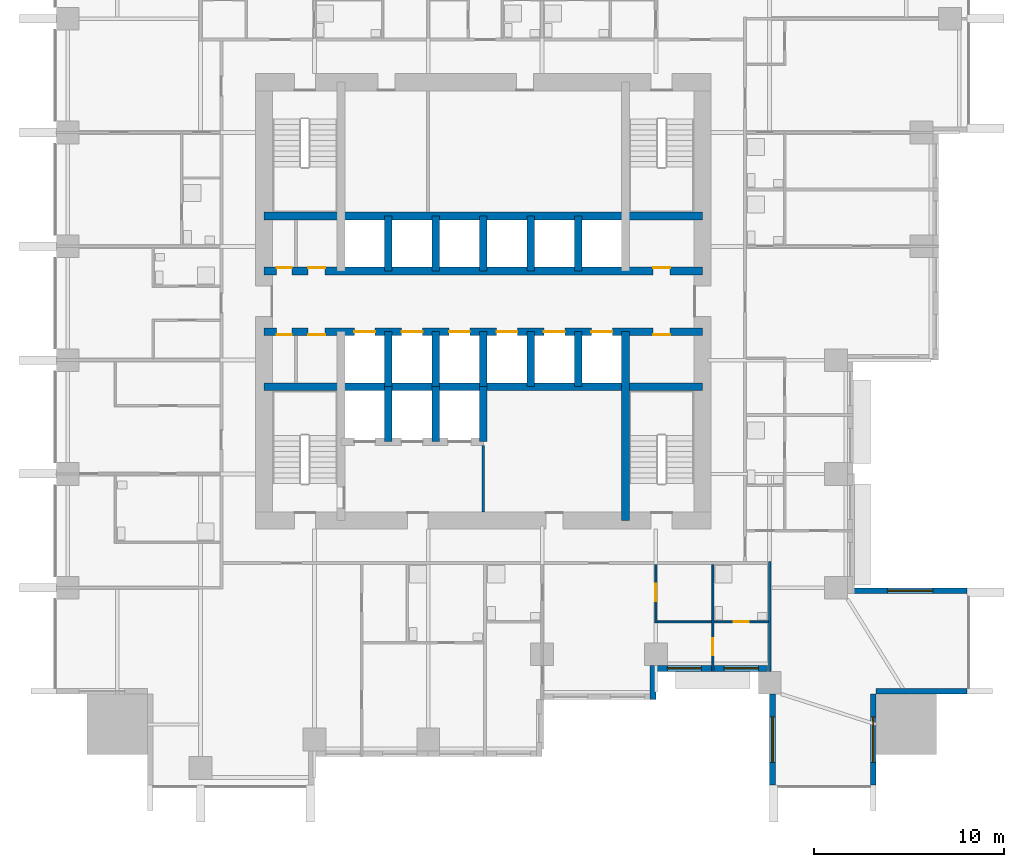
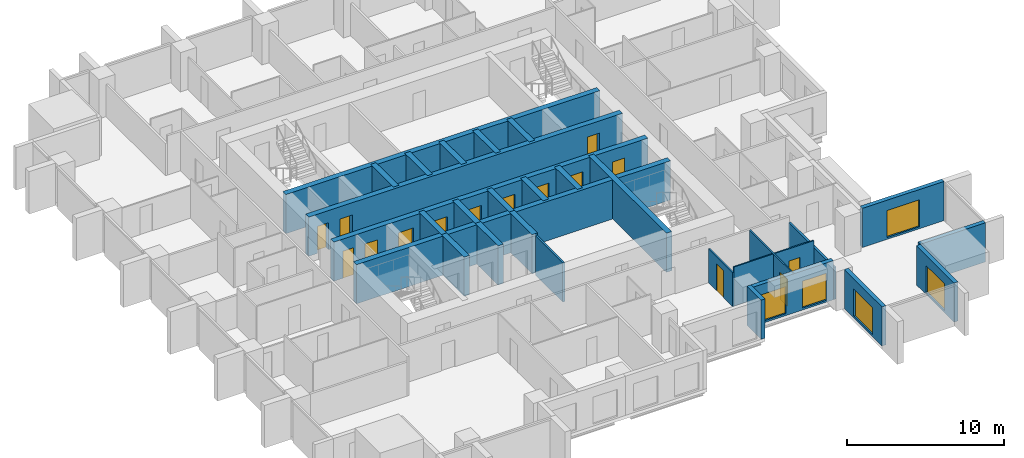
# One storey, part 5 of 10: 29 walls, 15 doors, 5 windows, 20 openings.
"""IFC4 building model written with IfcOpenShell, lengths in metres."""

from ifc_helpers import new_model, si_unit, direction, frame, frame_2d, origin, place, context, subcontext, project, spatial, rectangle, extrude, material, layer, layer_set, type_object, element, fill, save


model = new_model("IFC4")

# Units and contexts
model_context = context("Model", 3, precision=1e-05, world=origin(), true_north=direction((0.0, 1.0)))
body_context = subcontext(model_context, "Body", "Model", "MODEL_VIEW")
ifc_project = project(units=[si_unit("LENGTHUNIT", "METRE"), si_unit("AREAUNIT", "SQUARE_METRE"), si_unit("VOLUMEUNIT", "CUBIC_METRE"), si_unit("PLANEANGLEUNIT", "RADIAN"), si_unit("MASSUNIT", "GRAM", prefix="KILO")], contexts=[model_context])

# Site, building, storey
site_placement = place(None, origin())
site = spatial("IfcSite", under=ifc_project, at=site_placement, CompositionType="ELEMENT")
building_placement = place(site_placement, origin())
building = spatial("IfcBuilding", under=site, at=building_placement, Name="Amberfall Residences", CompositionType="ELEMENT")
storey_placement = place(building_placement, frame((0.0, 0.0, 63.10009765625)))
storey = spatial("IfcBuildingStorey", under=building, at=storey_placement, Name="L17", CompositionType="ELEMENT", Elevation=63.10009765625)

# Wall
ifc_material_1 = material(Name="Pale stone cladding on insulated backing", Category="masonry")
ifc_layer_1 = layer(ifc_material_1, 0.300048828125)
ifc_layer_set_1 = layer_set([ifc_layer_1], Name="Bronze clad wall 300")
wall_type_1 = type_object("IfcWallType", Name="Bronze clad wall 300", PredefinedType="SOLIDWALL", material=ifc_layer_set_1)
wall_1_placement = place(storey_placement, frame((83.449951171875, 24.5, 0.0), z_axis=(0.0, 0.0, 1.0), x_axis=(0.0, 1.0, 0.0)))
element("IfcWall", 1, at=wall_1_placement, inside=storey, type_object=wall_type_1, Name="External wall L17 S", PredefinedType="SOLIDWALL", context=body_context, shape_type="SweptSolid", body=[
    extrude(rectangle(XDim=1.800048828125, YDim=0.300048828125, at=frame_2d((0.89990234375, 0.0))), origin(), (0.0, 0.0, 1.0), 3.0498046875),
])

# Wall, opening, window
wall_2_placement = place(storey_placement, frame((89.75, 24.800048828125, 0.0), z_axis=(0.0, 0.0, 1.0), x_axis=(0.0, -1.0, 0.0)))
wall_2 = element("IfcWall", 2, at=wall_2_placement, inside=storey, type_object=wall_type_1, Name="External wall L17 S", PredefinedType="SOLIDWALL", context=body_context, shape_type="SweptSolid", body=[
    extrude(rectangle(XDim=4.800048828125, YDim=0.300048828125, at=frame_2d((2.39990234375, 0.0))), origin(), (0.0, 0.0, 1.0), 3.0498046875),
])
opening_1_placement = place(wall_2_placement, frame((1.199951171875, 0.0, 0.14990234375)))
opening_1 = element("IfcOpeningElement", 3, at=opening_1_placement, cuts=wall_2, Name="Opening WN5", PredefinedType="OPENING", context=body_context, shape_type="SweptSolid", body=[
    extrude(rectangle(XDim=2.39990234375, YDim=2.10009765625, at=frame_2d((1.199951171875, 1.050048828125))), frame((0.0, 0.159912109375, 0.0), z_axis=(0.0, -1.0, 0.0), x_axis=(1.0, 0.0, 0.0)), (0.0, 0.0, 1.0), 0.320068359375),
])
ifc_material_2 = material(Name="Bronze aluminium framed glazing", Category="aluminium")
window_type_1 = type_object("IfcWindowType", Name="Glazed opening 2400 x 2100 bronze", PartitioningType="DOUBLE_PANEL_VERTICAL", PredefinedType="WINDOW", material=ifc_material_2)
window_1_placement = place(opening_1_placement, origin())
window_1 = element("IfcWindow", 4, at=window_1_placement, inside=storey, type_object=window_type_1, Name="Window L17 S", OverallHeight=2.10009765625, OverallWidth=2.39990234375, PartitioningType="DOUBLE_PANEL_VERTICAL", PredefinedType="WINDOW", context=body_context, shape_type="SweptSolid", body=[
    extrude(rectangle(XDim=2.39990234375, YDim=2.10009765625, at=frame_2d((1.199951171875, 1.050048828125))), frame((0.0, 0.030029296875, 0.0), z_axis=(0.0, -1.0, 0.0), x_axis=(1.0, 0.0, 0.0)), (0.0, 0.0, 1.0), 0.06005859375),
])
fill(opening_1, window_1)

wall_3_placement = place(storey_placement, frame((95.050048828125, 20.0, 0.0), z_axis=(0.0, 0.0, 1.0), x_axis=(0.0, 1.0, 0.0)))
wall_3 = element("IfcWall", 5, at=wall_3_placement, inside=storey, type_object=wall_type_1, Name="External wall L17 SE", PredefinedType="SOLIDWALL", context=body_context, shape_type="SweptSolid", body=[
    extrude(rectangle(XDim=4.800048828125, YDim=0.300048828125, at=frame_2d((2.39990234375, 0.0))), origin(), (0.0, 0.0, 1.0), 3.0498046875),
])
opening_2_placement = place(wall_3_placement, frame((1.199951171875, 0.0, 0.14990234375)))
opening_2 = element("IfcOpeningElement", 6, at=opening_2_placement, cuts=wall_3, Name="Opening WN5", PredefinedType="OPENING", context=body_context, shape_type="SweptSolid", body=[
    extrude(rectangle(XDim=2.39990234375, YDim=2.10009765625, at=frame_2d((1.199951171875, 1.050048828125))), frame((0.0, 0.159912109375, 0.0), z_axis=(0.0, -1.0, 0.0), x_axis=(1.0, 0.0, 0.0)), (0.0, 0.0, 1.0), 0.320068359375),
])
window_2_placement = place(opening_2_placement, origin())
window_2 = element("IfcWindow", 7, at=window_2_placement, inside=storey, type_object=window_type_1, Name="Window L17 SE", OverallHeight=2.10009765625, OverallWidth=2.39990234375, PartitioningType="DOUBLE_PANEL_VERTICAL", PredefinedType="WINDOW", context=body_context, shape_type="SweptSolid", body=[
    extrude(rectangle(XDim=2.39990234375, YDim=2.10009765625, at=frame_2d((1.199951171875, 1.050048828125))), frame((0.0, 0.030029296875, 0.0), z_axis=(0.0, -1.0, 0.0), x_axis=(1.0, 0.0, 0.0)), (0.0, 0.0, 1.0), 0.06005859375),
])
fill(opening_2, window_2)

# Wall
wall_4_placement = place(storey_placement, frame((95.199951171875, 24.949951171875, 0.0), z_axis=(0.0, 0.0, 1.0), x_axis=(1.0, 0.0, 0.0)))
element("IfcWall", 8, at=wall_4_placement, inside=storey, type_object=wall_type_1, Name="External wall L17 SE", PredefinedType="SOLIDWALL", context=body_context, shape_type="SweptSolid", body=[
    extrude(rectangle(XDim=4.800048828125, YDim=0.300048828125, at=frame_2d((2.39990234375, 0.0))), origin(), (0.0, 0.0, 1.0), 3.0498046875),
])

# Wall, opening, window
wall_5_placement = place(storey_placement, frame((100.0, 30.25, 0.0), z_axis=(0.0, 0.0, 1.0), x_axis=(-1.0, 0.0, 0.0)))
wall_5 = element("IfcWall", 9, at=wall_5_placement, inside=storey, type_object=wall_type_1, Name="External wall L17 E", PredefinedType="SOLIDWALL", context=body_context, shape_type="SweptSolid", body=[
    extrude(rectangle(XDim=6.0, YDim=0.300048828125, at=frame_2d((3.0, 0.0))), origin(), (0.0, 0.0, 1.0), 3.0498046875),
])
opening_3_placement = place(wall_5_placement, frame((1.800048828125, 0.0, 0.14990234375)))
opening_3 = element("IfcOpeningElement", 10, at=opening_3_placement, cuts=wall_5, Name="Opening WN5", PredefinedType="OPENING", context=body_context, shape_type="SweptSolid", body=[
    extrude(rectangle(XDim=2.39990234375, YDim=2.10009765625, at=frame_2d((1.199951171875, 1.050048828125))), frame((0.0, 0.159912109375, 0.0), z_axis=(0.0, -1.0, 0.0), x_axis=(1.0, 0.0, 0.0)), (0.0, 0.0, 1.0), 0.320068359375),
])
window_3_placement = place(opening_3_placement, origin())
window_3 = element("IfcWindow", 11, at=window_3_placement, inside=storey, type_object=window_type_1, Name="Window L17 E", OverallHeight=2.10009765625, OverallWidth=2.39990234375, PartitioningType="DOUBLE_PANEL_VERTICAL", PredefinedType="WINDOW", context=body_context, shape_type="SweptSolid", body=[
    extrude(rectangle(XDim=2.39990234375, YDim=2.10009765625, at=frame_2d((1.199951171875, 1.050048828125))), frame((0.0, 0.030029296875, 0.0), z_axis=(0.0, -1.0, 0.0), x_axis=(1.0, 0.0, 0.0)), (0.0, 0.0, 1.0), 0.06005859375),
])
fill(opening_3, window_3)

# Wall, openings, windows
wall_6_placement = place(storey_placement, frame((83.60009765625, 26.14990234375, 0.0), z_axis=(0.0, 0.0, 1.0), x_axis=(1.0, 0.0, 0.0)))
wall_6 = element("IfcWall", 12, at=wall_6_placement, inside=storey, type_object=wall_type_1, Name="Stone wall L17 S", PredefinedType="SOLIDWALL", context=body_context, shape_type="SweptSolid", body=[
    extrude(rectangle(XDim=5.889892578125, YDim=0.300048828125, at=frame_2d((2.94482421875, 0.0))), origin(), (0.0, 0.0, 1.0), 3.0498046875),
])
opening_4_placement = place(wall_6_placement, frame((0.60009765625, 0.0, 0.14990234375)))
opening_4 = element("IfcOpeningElement", 13, at=opening_4_placement, cuts=wall_6, Name="Opening WN6", PredefinedType="OPENING", context=body_context, shape_type="SweptSolid", body=[
    extrude(rectangle(XDim=1.800048828125, YDim=2.10009765625, at=frame_2d((0.89990234375, 1.050048828125))), frame((0.0, 0.159912109375, 0.0), z_axis=(0.0, -1.0, 0.0), x_axis=(1.0, 0.0, 0.0)), (0.0, 0.0, 1.0), 0.320068359375),
])
opening_5_placement = place(wall_6_placement, frame((3.60009765625, 0.0, 0.14990234375)))
opening_5 = element("IfcOpeningElement", 14, at=opening_5_placement, cuts=wall_6, Name="Opening WN6", PredefinedType="OPENING", context=body_context, shape_type="SweptSolid", body=[
    extrude(rectangle(XDim=1.800048828125, YDim=2.10009765625, at=frame_2d((0.89990234375, 1.050048828125))), frame((0.0, 0.159912109375, 0.0), z_axis=(0.0, -1.0, 0.0), x_axis=(1.0, 0.0, 0.0)), (0.0, 0.0, 1.0), 0.320068359375),
])
window_type_2 = type_object("IfcWindowType", Name="Glazed opening 1800 x 2100 bronze", PartitioningType="DOUBLE_PANEL_VERTICAL", PredefinedType="WINDOW", material=ifc_material_2)
window_4_placement = place(opening_4_placement, origin())
window_4 = element("IfcWindow", 15, at=window_4_placement, inside=storey, type_object=window_type_2, Name="Window L17 S", OverallHeight=2.10009765625, OverallWidth=1.800048828125, PartitioningType="DOUBLE_PANEL_VERTICAL", PredefinedType="WINDOW", context=body_context, shape_type="SweptSolid", body=[
    extrude(rectangle(XDim=1.800048828125, YDim=2.10009765625, at=frame_2d((0.89990234375, 1.050048828125))), frame((0.0, 0.030029296875, 0.0), z_axis=(0.0, -1.0, 0.0), x_axis=(1.0, 0.0, 0.0)), (0.0, 0.0, 1.0), 0.06005859375),
])
fill(opening_4, window_4)
window_5_placement = place(opening_5_placement, origin())
window_5 = element("IfcWindow", 16, at=window_5_placement, inside=storey, type_object=window_type_2, Name="Window L17 S", OverallHeight=2.10009765625, OverallWidth=1.800048828125, PartitioningType="DOUBLE_PANEL_VERTICAL", PredefinedType="WINDOW", context=body_context, shape_type="SweptSolid", body=[
    extrude(rectangle(XDim=1.800048828125, YDim=2.10009765625, at=frame_2d((0.89990234375, 1.050048828125))), frame((0.0, 0.030029296875, 0.0), z_axis=(0.0, -1.0, 0.0), x_axis=(1.0, 0.0, 0.0)), (0.0, 0.0, 1.0), 0.06005859375),
])
fill(opening_5, window_5)

# Wall
ifc_material_3 = material(Name="Concrete C80", Category="concrete")
ifc_layer_2 = layer(ifc_material_3, 0.39990234375)
ifc_layer_set_2 = layer_set([ifc_layer_2], Name="Core wall 400 C80")
wall_type_2 = type_object("IfcWallType", Name="Core wall 400 C80", PredefinedType="SHEAR", material=ifc_layer_set_2)
wall_7_placement = place(storey_placement, frame((62.949951171875, 41.0, 0.0), z_axis=(0.0, 0.0, 1.0), x_axis=(1.0, 0.0, 0.0)))
element("IfcWall", 17, at=wall_7_placement, inside=storey, type_object=wall_type_2, Name="Core wall RW2 L17 H75", PredefinedType="SHEAR", context=body_context, shape_type="SweptSolid", body=[
    extrude(rectangle(XDim=23.10009765625, YDim=0.39990234375, at=frame_2d((11.550048828125, 0.0))), origin(), (0.0, 0.0, 1.0), 3.0498046875),
])

# Wall, openings, doors
wall_8_placement = place(storey_placement, frame((62.949951171875, 43.89990234375, 0.0), z_axis=(0.0, 0.0, 1.0), x_axis=(1.0, 0.0, 0.0)))
wall_8 = element("IfcWall", 18, at=wall_8_placement, inside=storey, type_object=wall_type_2, Name="Core wall RW2 L17 H104", PredefinedType="SHEAR", context=body_context, shape_type="SweptSolid", body=[
    extrude(rectangle(XDim=23.10009765625, YDim=0.39990234375, at=frame_2d((11.550048828125, 0.0))), origin(), (0.0, 0.0, 1.0), 3.0498046875),
])
opening_6_placement = place(wall_8_placement, frame((0.662109375, 0.0, 0.0)))
opening_6 = element("IfcOpeningElement", 19, at=opening_6_placement, cuts=wall_8, Name="Opening RD2", PredefinedType="OPENING", context=body_context, shape_type="SweptSolid", body=[
    extrude(rectangle(XDim=0.800048828125, YDim=2.10009765625, at=frame_2d((0.39990234375, 1.050048828125))), frame((0.0, 0.2099609375, 0.0), z_axis=(0.0, -1.0, 0.0), x_axis=(1.0, 0.0, 0.0)), (0.0, 0.0, 1.0), 0.419921875),
])
opening_7_placement = place(wall_8_placement, frame((2.31201171875, 0.0, 0.0)))
opening_7 = element("IfcOpeningElement", 20, at=opening_7_placement, cuts=wall_8, Name="Opening RD1", PredefinedType="OPENING", context=body_context, shape_type="SweptSolid", body=[
    extrude(rectangle(XDim=0.89990234375, YDim=2.10009765625, at=frame_2d((0.449951171875, 1.050048828125))), frame((0.0, 0.2099609375, 0.0), z_axis=(0.0, -1.0, 0.0), x_axis=(1.0, 0.0, 0.0)), (0.0, 0.0, 1.0), 0.419921875),
])
opening_8_placement = place(wall_8_placement, frame((20.5, 0.0, 0.0)))
opening_8 = element("IfcOpeningElement", 21, at=opening_8_placement, cuts=wall_8, Name="Opening RD1", PredefinedType="OPENING", context=body_context, shape_type="SweptSolid", body=[
    extrude(rectangle(XDim=0.89990234375, YDim=2.10009765625, at=frame_2d((0.449951171875, 1.050048828125))), frame((0.0, 0.2099609375, 0.0), z_axis=(0.0, -1.0, 0.0), x_axis=(1.0, 0.0, 0.0)), (0.0, 0.0, 1.0), 0.419921875),
])
opening_9_placement = place(wall_8_placement, frame((4.75, 0.0, 0.0)))
opening_9 = element("IfcOpeningElement", 22, at=opening_9_placement, cuts=wall_8, Name="Opening LD1", PredefinedType="OPENING", context=body_context, shape_type="SweptSolid", body=[
    extrude(rectangle(XDim=1.10009765625, YDim=2.10009765625, at=frame_2d((0.550048828125, 1.050048828125))), frame((0.0, 0.2099609375, 0.0), z_axis=(0.0, -1.0, 0.0), x_axis=(1.0, 0.0, 0.0)), (0.0, 0.0, 1.0), 0.419921875),
])
opening_10_placement = place(wall_8_placement, frame((7.25, 0.0, 0.0)))
opening_10 = element("IfcOpeningElement", 23, at=opening_10_placement, cuts=wall_8, Name="Opening LD1", PredefinedType="OPENING", context=body_context, shape_type="SweptSolid", body=[
    extrude(rectangle(XDim=1.10009765625, YDim=2.10009765625, at=frame_2d((0.550048828125, 1.050048828125))), frame((0.0, 0.2099609375, 0.0), z_axis=(0.0, -1.0, 0.0), x_axis=(1.0, 0.0, 0.0)), (0.0, 0.0, 1.0), 0.419921875),
])
opening_11_placement = place(wall_8_placement, frame((9.75, 0.0, 0.0)))
opening_11 = element("IfcOpeningElement", 24, at=opening_11_placement, cuts=wall_8, Name="Opening LD1", PredefinedType="OPENING", context=body_context, shape_type="SweptSolid", body=[
    extrude(rectangle(XDim=1.10009765625, YDim=2.10009765625, at=frame_2d((0.550048828125, 1.050048828125))), frame((0.0, 0.2099609375, 0.0), z_axis=(0.0, -1.0, 0.0), x_axis=(1.0, 0.0, 0.0)), (0.0, 0.0, 1.0), 0.419921875),
])
opening_12_placement = place(wall_8_placement, frame((12.25, 0.0, 0.0)))
opening_12 = element("IfcOpeningElement", 25, at=opening_12_placement, cuts=wall_8, Name="Opening LD1", PredefinedType="OPENING", context=body_context, shape_type="SweptSolid", body=[
    extrude(rectangle(XDim=1.10009765625, YDim=2.10009765625, at=frame_2d((0.550048828125, 1.050048828125))), frame((0.0, 0.2099609375, 0.0), z_axis=(0.0, -1.0, 0.0), x_axis=(1.0, 0.0, 0.0)), (0.0, 0.0, 1.0), 0.419921875),
])
opening_13_placement = place(wall_8_placement, frame((14.75, 0.0, 0.0)))
opening_13 = element("IfcOpeningElement", 26, at=opening_13_placement, cuts=wall_8, Name="Opening LD1", PredefinedType="OPENING", context=body_context, shape_type="SweptSolid", body=[
    extrude(rectangle(XDim=1.10009765625, YDim=2.10009765625, at=frame_2d((0.550048828125, 1.050048828125))), frame((0.0, 0.2099609375, 0.0), z_axis=(0.0, -1.0, 0.0), x_axis=(1.0, 0.0, 0.0)), (0.0, 0.0, 1.0), 0.419921875),
])
opening_14_placement = place(wall_8_placement, frame((17.25, 0.0, 0.0)))
opening_14 = element("IfcOpeningElement", 27, at=opening_14_placement, cuts=wall_8, Name="Opening LD1", PredefinedType="OPENING", context=body_context, shape_type="SweptSolid", body=[
    extrude(rectangle(XDim=1.10009765625, YDim=2.10009765625, at=frame_2d((0.550048828125, 1.050048828125))), frame((0.0, 0.2099609375, 0.0), z_axis=(0.0, -1.0, 0.0), x_axis=(1.0, 0.0, 0.0)), (0.0, 0.0, 1.0), 0.419921875),
])
ifc_material_4 = material(Name="Steel fire door set", Category="steel")
door_type_1 = type_object("IfcDoorType", Name="Lift landing door 1100 x 2100", OperationType="DOUBLE_DOOR_SLIDING", PredefinedType="DOOR", material=ifc_material_4)
door_1_placement = place(opening_9_placement, origin())
door_1 = element("IfcDoor", 28, at=door_1_placement, inside=storey, type_object=door_type_1, Name="Landing door LP1 L17", OperationType="DOUBLE_DOOR_SLIDING", OverallHeight=2.10009765625, OverallWidth=1.10009765625, PredefinedType="DOOR", context=body_context, shape_type="SweptSolid", body=[
    extrude(rectangle(XDim=1.10009765625, YDim=2.10009765625, at=frame_2d((0.550048828125, 1.050048828125))), frame((0.0, 0.02490234375, 0.0), z_axis=(0.0, -1.0, 0.0), x_axis=(1.0, 0.0, 0.0)), (0.0, 0.0, 1.0), 0.050048828125),
])
fill(opening_9, door_1)
door_2_placement = place(opening_10_placement, origin())
door_2 = element("IfcDoor", 29, at=door_2_placement, inside=storey, type_object=door_type_1, Name="Landing door LP2 L17", OperationType="DOUBLE_DOOR_SLIDING", OverallHeight=2.10009765625, OverallWidth=1.10009765625, PredefinedType="DOOR", context=body_context, shape_type="SweptSolid", body=[
    extrude(rectangle(XDim=1.10009765625, YDim=2.10009765625, at=frame_2d((0.550048828125, 1.050048828125))), frame((0.0, 0.02490234375, 0.0), z_axis=(0.0, -1.0, 0.0), x_axis=(1.0, 0.0, 0.0)), (0.0, 0.0, 1.0), 0.050048828125),
])
fill(opening_10, door_2)
door_3_placement = place(opening_11_placement, origin())
door_3 = element("IfcDoor", 30, at=door_3_placement, inside=storey, type_object=door_type_1, Name="Landing door LP3 L17", OperationType="DOUBLE_DOOR_SLIDING", OverallHeight=2.10009765625, OverallWidth=1.10009765625, PredefinedType="DOOR", context=body_context, shape_type="SweptSolid", body=[
    extrude(rectangle(XDim=1.10009765625, YDim=2.10009765625, at=frame_2d((0.550048828125, 1.050048828125))), frame((0.0, 0.02490234375, 0.0), z_axis=(0.0, -1.0, 0.0), x_axis=(1.0, 0.0, 0.0)), (0.0, 0.0, 1.0), 0.050048828125),
])
fill(opening_11, door_3)
door_4_placement = place(opening_12_placement, origin())
door_4 = element("IfcDoor", 31, at=door_4_placement, inside=storey, type_object=door_type_1, Name="Landing door LP4 L17", OperationType="DOUBLE_DOOR_SLIDING", OverallHeight=2.10009765625, OverallWidth=1.10009765625, PredefinedType="DOOR", context=body_context, shape_type="SweptSolid", body=[
    extrude(rectangle(XDim=1.10009765625, YDim=2.10009765625, at=frame_2d((0.550048828125, 1.050048828125))), frame((0.0, 0.02490234375, 0.0), z_axis=(0.0, -1.0, 0.0), x_axis=(1.0, 0.0, 0.0)), (0.0, 0.0, 1.0), 0.050048828125),
])
fill(opening_12, door_4)
door_5_placement = place(opening_13_placement, origin())
door_5 = element("IfcDoor", 32, at=door_5_placement, inside=storey, type_object=door_type_1, Name="Landing door LP5 L17", OperationType="DOUBLE_DOOR_SLIDING", OverallHeight=2.10009765625, OverallWidth=1.10009765625, PredefinedType="DOOR", context=body_context, shape_type="SweptSolid", body=[
    extrude(rectangle(XDim=1.10009765625, YDim=2.10009765625, at=frame_2d((0.550048828125, 1.050048828125))), frame((0.0, 0.02490234375, 0.0), z_axis=(0.0, -1.0, 0.0), x_axis=(1.0, 0.0, 0.0)), (0.0, 0.0, 1.0), 0.050048828125),
])
fill(opening_13, door_5)
door_6_placement = place(opening_14_placement, origin())
door_6 = element("IfcDoor", 33, at=door_6_placement, inside=storey, type_object=door_type_1, Name="Landing door LP6 L17", OperationType="DOUBLE_DOOR_SLIDING", OverallHeight=2.10009765625, OverallWidth=1.10009765625, PredefinedType="DOOR", context=body_context, shape_type="SweptSolid", body=[
    extrude(rectangle(XDim=1.10009765625, YDim=2.10009765625, at=frame_2d((0.550048828125, 1.050048828125))), frame((0.0, 0.02490234375, 0.0), z_axis=(0.0, -1.0, 0.0), x_axis=(1.0, 0.0, 0.0)), (0.0, 0.0, 1.0), 0.050048828125),
])
fill(opening_14, door_6)
door_type_2 = type_object("IfcDoorType", Name="Service room door 800 x 2100", OperationType="SINGLE_SWING_LEFT", PredefinedType="DOOR", material=ifc_material_4)
door_7_placement = place(opening_6_placement, origin())
door_7 = element("IfcDoor", 34, at=door_7_placement, inside=storey, type_object=door_type_2, Name="RD2 L17", OperationType="SINGLE_SWING_LEFT", OverallHeight=2.10009765625, OverallWidth=0.800048828125, PredefinedType="DOOR", context=body_context, shape_type="SweptSolid", body=[
    extrude(rectangle(XDim=0.800048828125, YDim=2.10009765625, at=frame_2d((0.39990234375, 1.050048828125))), frame((0.0, -0.1376953125, 0.0), z_axis=(0.0, -1.0, 0.0), x_axis=(1.0, 0.0, 0.0)), (0.0, 0.0, 1.0), 0.050048828125),
])
fill(opening_6, door_7)
door_type_3 = type_object("IfcDoorType", Name="Service room door 900 x 2100", OperationType="SINGLE_SWING_LEFT", PredefinedType="DOOR", material=ifc_material_4)
door_8_placement = place(opening_7_placement, origin())
door_8 = element("IfcDoor", 35, at=door_8_placement, inside=storey, type_object=door_type_3, Name="RD1 L17", OperationType="SINGLE_SWING_RIGHT", OverallHeight=2.10009765625, OverallWidth=0.89990234375, PredefinedType="DOOR", context=body_context, shape_type="SweptSolid", body=[
    extrude(rectangle(XDim=0.89990234375, YDim=2.10009765625, at=frame_2d((0.449951171875, 1.050048828125))), frame((0.0, -0.1376953125, 0.0), z_axis=(0.0, -1.0, 0.0), x_axis=(1.0, 0.0, 0.0)), (0.0, 0.0, 1.0), 0.050048828125),
])
fill(opening_7, door_8)
door_9_placement = place(opening_8_placement, origin())
door_9 = element("IfcDoor", 36, at=door_9_placement, inside=storey, type_object=door_type_3, Name="RD1 L17", OperationType="SINGLE_SWING_LEFT", OverallHeight=2.10009765625, OverallWidth=0.89990234375, PredefinedType="DOOR", context=body_context, shape_type="SweptSolid", body=[
    extrude(rectangle(XDim=0.89990234375, YDim=2.10009765625, at=frame_2d((0.449951171875, 1.050048828125))), frame((0.0, -0.1376953125, 0.0), z_axis=(0.0, -1.0, 0.0), x_axis=(1.0, 0.0, 0.0)), (0.0, 0.0, 1.0), 0.050048828125),
])
fill(opening_8, door_9)

wall_9_placement = place(storey_placement, frame((62.949951171875, 47.10009765625, 0.0), z_axis=(0.0, 0.0, 1.0), x_axis=(1.0, 0.0, 0.0)))
wall_9 = element("IfcWall", 37, at=wall_9_placement, inside=storey, type_object=wall_type_2, Name="Core wall RW2 L17 H136", PredefinedType="SHEAR", context=body_context, shape_type="SweptSolid", body=[
    extrude(rectangle(XDim=23.10009765625, YDim=0.39990234375, at=frame_2d((11.550048828125, 0.0))), origin(), (0.0, 0.0, 1.0), 3.0498046875),
])
opening_15_placement = place(wall_9_placement, frame((0.662109375, 0.0, 0.0)))
opening_15 = element("IfcOpeningElement", 38, at=opening_15_placement, cuts=wall_9, Name="Opening RD2", PredefinedType="OPENING", context=body_context, shape_type="SweptSolid", body=[
    extrude(rectangle(XDim=0.800048828125, YDim=2.10009765625, at=frame_2d((0.39990234375, 1.050048828125))), frame((0.0, 0.2099609375, 0.0), z_axis=(0.0, -1.0, 0.0), x_axis=(1.0, 0.0, 0.0)), (0.0, 0.0, 1.0), 0.419921875),
])
opening_16_placement = place(wall_9_placement, frame((2.31201171875, 0.0, 0.0)))
opening_16 = element("IfcOpeningElement", 39, at=opening_16_placement, cuts=wall_9, Name="Opening RD1", PredefinedType="OPENING", context=body_context, shape_type="SweptSolid", body=[
    extrude(rectangle(XDim=0.89990234375, YDim=2.10009765625, at=frame_2d((0.449951171875, 1.050048828125))), frame((0.0, 0.2099609375, 0.0), z_axis=(0.0, -1.0, 0.0), x_axis=(1.0, 0.0, 0.0)), (0.0, 0.0, 1.0), 0.419921875),
])
opening_17_placement = place(wall_9_placement, frame((20.5, 0.0, 0.0)))
opening_17 = element("IfcOpeningElement", 40, at=opening_17_placement, cuts=wall_9, Name="Opening RD1", PredefinedType="OPENING", context=body_context, shape_type="SweptSolid", body=[
    extrude(rectangle(XDim=0.89990234375, YDim=2.10009765625, at=frame_2d((0.449951171875, 1.050048828125))), frame((0.0, 0.2099609375, 0.0), z_axis=(0.0, -1.0, 0.0), x_axis=(1.0, 0.0, 0.0)), (0.0, 0.0, 1.0), 0.419921875),
])
door_10_placement = place(opening_15_placement, origin())
door_10 = element("IfcDoor", 41, at=door_10_placement, inside=storey, type_object=door_type_2, Name="RD2 L17", OperationType="SINGLE_SWING_LEFT", OverallHeight=2.10009765625, OverallWidth=0.800048828125, PredefinedType="DOOR", context=body_context, shape_type="SweptSolid", body=[
    extrude(rectangle(XDim=0.800048828125, YDim=2.10009765625, at=frame_2d((0.39990234375, 1.050048828125))), frame((0.0, 0.1875, 0.0), z_axis=(0.0, -1.0, 0.0), x_axis=(1.0, 0.0, 0.0)), (0.0, 0.0, 1.0), 0.050048828125),
])
fill(opening_15, door_10)
door_11_placement = place(opening_16_placement, origin())
door_11 = element("IfcDoor", 42, at=door_11_placement, inside=storey, type_object=door_type_3, Name="RD1 L17", OperationType="SINGLE_SWING_RIGHT", OverallHeight=2.10009765625, OverallWidth=0.89990234375, PredefinedType="DOOR", context=body_context, shape_type="SweptSolid", body=[
    extrude(rectangle(XDim=0.89990234375, YDim=2.10009765625, at=frame_2d((0.449951171875, 1.050048828125))), frame((0.0, 0.1875, 0.0), z_axis=(0.0, -1.0, 0.0), x_axis=(1.0, 0.0, 0.0)), (0.0, 0.0, 1.0), 0.050048828125),
])
fill(opening_16, door_11)
door_12_placement = place(opening_17_placement, origin())
door_12 = element("IfcDoor", 43, at=door_12_placement, inside=storey, type_object=door_type_3, Name="RD1 L17", OperationType="SINGLE_SWING_LEFT", OverallHeight=2.10009765625, OverallWidth=0.89990234375, PredefinedType="DOOR", context=body_context, shape_type="SweptSolid", body=[
    extrude(rectangle(XDim=0.89990234375, YDim=2.10009765625, at=frame_2d((0.449951171875, 1.050048828125))), frame((0.0, 0.1875, 0.0), z_axis=(0.0, -1.0, 0.0), x_axis=(1.0, 0.0, 0.0)), (0.0, 0.0, 1.0), 0.050048828125),
])
fill(opening_17, door_12)

# Walls
wall_10_placement = place(storey_placement, frame((62.949951171875, 50.0, 0.0), z_axis=(0.0, 0.0, 1.0), x_axis=(1.0, 0.0, 0.0)))
element("IfcWall", 44, at=wall_10_placement, inside=storey, type_object=wall_type_2, Name="Core wall RW2 L17 H165", PredefinedType="SHEAR", context=body_context, shape_type="SweptSolid", body=[
    extrude(rectangle(XDim=23.10009765625, YDim=0.39990234375, at=frame_2d((11.550048828125, 0.0))), origin(), (0.0, 0.0, 1.0), 3.0498046875),
])
wall_11_placement = place(storey_placement, frame((82.0, 33.949951171875, 0.0), z_axis=(0.0, 0.0, 1.0), x_axis=(0.0, 1.0, 0.0)))
element("IfcWall", 45, at=wall_11_placement, inside=storey, type_object=wall_type_2, Name="Core wall RW2 L17 V195S", PredefinedType="SHEAR", context=body_context, shape_type="SweptSolid", body=[
    extrude(rectangle(XDim=9.949951171875, YDim=0.39990234375, at=frame_2d((4.97509765625, 0.0))), origin(), (0.0, 0.0, 1.0), 3.0498046875),
])
for number, where, z_axis, x_axis, name in (
    (46, (69.5, 41.0, 0.0), (0.0, 0.0, 1.0), (0.0, 1.0, 0.0), "Core wall RW2 L17 LPD1"),
    (47, (69.5, 47.10009765625, 0.0), (0.0, 0.0, 1.0), (0.0, 1.0, 0.0), "Core wall RW2 L17 HPD1"),
    (48, (72.0, 41.0, 0.0), (0.0, 0.0, 1.0), (0.0, 1.0, 0.0), "Core wall RW2 L17 LPD2"),
    (49, (72.0, 47.10009765625, 0.0), (0.0, 0.0, 1.0), (0.0, 1.0, 0.0), "Core wall RW2 L17 HPD2"),
    (50, (74.5, 41.0, 0.0), (0.0, 0.0, 1.0), (0.0, 1.0, 0.0), "Core wall RW2 L17 LPD3"),
    (51, (74.5, 47.10009765625, 0.0), (0.0, 0.0, 1.0), (0.0, 1.0, 0.0), "Core wall RW2 L17 HPD3"),
    (52, (77.0, 41.0, 0.0), (0.0, 0.0, 1.0), (0.0, 1.0, 0.0), "Core wall RW2 L17 LPD4"),
    (53, (77.0, 47.10009765625, 0.0), (0.0, 0.0, 1.0), (0.0, 1.0, 0.0), "Core wall RW2 L17 HPD4"),
    (54, (79.5, 41.0, 0.0), (0.0, 0.0, 1.0), (0.0, 1.0, 0.0), "Core wall RW2 L17 LPD5"),
    (55, (79.5, 47.10009765625, 0.0), (0.0, 0.0, 1.0), (0.0, 1.0, 0.0), "Core wall RW2 L17 HPD5"),
    (56, (69.5, 38.10009765625, 0.0), (0.0, 0.0, 1.0), (0.0, 1.0, 0.0), "Core wall RW2 L17 FFD1"),
    (57, (72.0, 38.10009765625, 0.0), (0.0, 0.0, 1.0), (0.0, 1.0, 0.0), "Core wall RW2 L17 FFD2"),
    (58, (74.5, 38.10009765625, 0.0), (0.0, 0.0, 1.0), (0.0, 1.0, 0.0), "Core wall RW2 L17 FFD3"),
):
    element("IfcWall", number, at=place(storey_placement, frame(where, z_axis=z_axis, x_axis=x_axis)), inside=storey, type_object=wall_type_2, Name=name, PredefinedType="SHEAR", context=body_context, shape_type="SweptSolid", body=[
        extrude(rectangle(XDim=2.89990234375, YDim=0.39990234375, at=frame_2d((1.449951171875, 0.0))), origin(), (0.0, 0.0, 1.0), 3.0498046875),
    ])

# Wall, opening, door
ifc_material_5 = material(Name="Gypsum board on metal stud")
ifc_layer_3 = layer(ifc_material_5, 0.10009765625)
ifc_layer_set_3 = layer_set([ifc_layer_3], Name="Flat partition 100")
wall_type_3 = type_object("IfcWallType", Name="Flat partition 100", PredefinedType="PARTITIONING", material=ifc_layer_set_3)
wall_12_placement = place(storey_placement, frame((83.60009765625, 31.625, 0.0), z_axis=(0.0, 0.0, 1.0), x_axis=(0.0, -1.0, 0.0)))
wall_12 = element("IfcWall", 59, at=wall_12_placement, inside=storey, type_object=wall_type_3, Name="Partition 015", PredefinedType="PARTITIONING", context=body_context, shape_type="SweptSolid", body=[
    extrude(rectangle(XDim=3.074951171875, YDim=0.10009765625, at=frame_2d((1.53759765625, 0.0))), origin(), (0.0, 0.0, 1.0), 2.64697265625),
])
opening_18_placement = place(wall_12_placement, frame((1.02490234375, 0.0, 0.0)))
opening_18 = element("IfcOpeningElement", 60, at=opening_18_placement, cuts=wall_12, Name="Opening D41", PredefinedType="OPENING", context=body_context, shape_type="SweptSolid", body=[
    extrude(rectangle(XDim=0.89990234375, YDim=2.10009765625, at=frame_2d((0.449951171875, 1.050048828125))), frame((0.0, 0.06005859375, 0.0), z_axis=(0.0, -1.0, 0.0), x_axis=(1.0, 0.0, 0.0)), (0.0, 0.0, 1.0), 0.1201171875),
])
ifc_material_6 = material(Name="Timber", Category="wood")
door_type_4 = type_object("IfcDoorType", Name="Internal door 900 x 2100", OperationType="SINGLE_SWING_LEFT", PredefinedType="DOOR", material=ifc_material_6)
door_13_placement = place(opening_18_placement, origin())
door_13 = element("IfcDoor", 61, at=door_13_placement, inside=storey, type_object=door_type_4, Name="Door 1702 kitchen", OperationType="SINGLE_SWING_LEFT", OverallHeight=2.10009765625, OverallWidth=0.89990234375, PredefinedType="DOOR", context=body_context, shape_type="SweptSolid", body=[
    extrude(rectangle(XDim=0.89990234375, YDim=2.10009765625, at=frame_2d((0.449951171875, 1.050048828125))), frame((0.0, 0.02490234375, 0.0), z_axis=(0.0, -1.0, 0.0), x_axis=(1.0, 0.0, 0.0)), (0.0, 0.0, 1.0), 0.050048828125),
])
fill(opening_18, door_13)

wall_13_placement = place(storey_placement, frame((86.60009765625, 31.625, 0.0), z_axis=(0.0, 0.0, 1.0), x_axis=(0.0, -1.0, 0.0)))
wall_13 = element("IfcWall", 62, at=wall_13_placement, inside=storey, type_object=wall_type_3, Name="Partition 017", PredefinedType="PARTITIONING", context=body_context, shape_type="SweptSolid", body=[
    extrude(rectangle(XDim=5.625, YDim=0.10009765625, at=frame_2d((2.8125, 0.0))), origin(), (0.0, 0.0, 1.0), 3.0498046875),
])
opening_19_placement = place(wall_13_placement, frame((3.875, 0.0, 0.0)))
opening_19 = element("IfcOpeningElement", 63, at=opening_19_placement, cuts=wall_13, Name="Opening D41", PredefinedType="OPENING", context=body_context, shape_type="SweptSolid", body=[
    extrude(rectangle(XDim=0.89990234375, YDim=2.10009765625, at=frame_2d((0.449951171875, 1.050048828125))), frame((0.0, 0.06005859375, 0.0), z_axis=(0.0, -1.0, 0.0), x_axis=(1.0, 0.0, 0.0)), (0.0, 0.0, 1.0), 0.1201171875),
])
door_14_placement = place(opening_19_placement, origin())
door_14 = element("IfcDoor", 64, at=door_14_placement, inside=storey, type_object=door_type_4, Name="Door 1702 bedroom2", OperationType="SINGLE_SWING_LEFT", OverallHeight=2.10009765625, OverallWidth=0.89990234375, PredefinedType="DOOR", context=body_context, shape_type="SweptSolid", body=[
    extrude(rectangle(XDim=0.89990234375, YDim=2.10009765625, at=frame_2d((0.449951171875, 1.050048828125))), frame((0.0, 0.02490234375, 0.0), z_axis=(0.0, -1.0, 0.0), x_axis=(1.0, 0.0, 0.0)), (0.0, 0.0, 1.0), 0.050048828125),
])
fill(opening_19, door_14)

wall_14_placement = place(storey_placement, frame((83.64990234375, 28.60009765625, 0.0), z_axis=(0.0, 0.0, 1.0), x_axis=(1.0, 0.0, 0.0)))
wall_14 = element("IfcWall", 65, at=wall_14_placement, inside=storey, type_object=wall_type_3, Name="Partition 039", PredefinedType="PARTITIONING", context=body_context, shape_type="SweptSolid", body=[
    extrude(rectangle(XDim=5.875, YDim=0.10009765625, at=frame_2d((2.9375, 0.0))), origin(), (0.0, 0.0, 1.0), 3.0498046875),
])
opening_20_placement = place(wall_14_placement, frame((4.050048828125, 0.0, 0.0)))
opening_20 = element("IfcOpeningElement", 66, at=opening_20_placement, cuts=wall_14, Name="Opening D42", PredefinedType="OPENING", context=body_context, shape_type="SweptSolid", body=[
    extrude(rectangle(XDim=0.800048828125, YDim=2.10009765625, at=frame_2d((0.39990234375, 1.050048828125))), frame((0.0, 0.06005859375, 0.0), z_axis=(0.0, -1.0, 0.0), x_axis=(1.0, 0.0, 0.0)), (0.0, 0.0, 1.0), 0.1201171875),
])
door_type_5 = type_object("IfcDoorType", Name="Bathroom door 800 x 2100", OperationType="SINGLE_SWING_LEFT", PredefinedType="DOOR", material=ifc_material_6)
door_15_placement = place(opening_20_placement, origin())
door_15 = element("IfcDoor", 67, at=door_15_placement, inside=storey, type_object=door_type_5, Name="Door 1702 bath2", OperationType="SINGLE_SWING_LEFT", OverallHeight=2.10009765625, OverallWidth=0.800048828125, PredefinedType="DOOR", context=body_context, shape_type="SweptSolid", body=[
    extrude(rectangle(XDim=0.800048828125, YDim=2.10009765625, at=frame_2d((0.39990234375, 1.050048828125))), frame((0.0, 0.02490234375, 0.0), z_axis=(0.0, -1.0, 0.0), x_axis=(1.0, 0.0, 0.0)), (0.0, 0.0, 1.0), 0.050048828125),
])
fill(opening_20, door_15)

# Walls
ifc_material_7 = material(Name="Blockwork, plastered", Category="masonry")
ifc_layer_4 = layer(ifc_material_7, 0.14990234375)
ifc_layer_set_4 = layer_set([ifc_layer_4], Name="Flat separating wall 150")
wall_type_4 = type_object("IfcWallType", Name="Flat separating wall 150", PredefinedType="PARTITIONING", material=ifc_layer_set_4)
wall_15_placement = place(storey_placement, frame((89.60009765625, 26.0, 0.0), z_axis=(0.0, 0.0, 1.0), x_axis=(0.0, 1.0, 0.0)))
element("IfcWall", 68, at=wall_15_placement, inside=storey, type_object=wall_type_4, Name="Separating wall 047", PredefinedType="PARTITIONING", context=body_context, shape_type="SweptSolid", body=[
    extrude(rectangle(XDim=5.77490234375, YDim=0.14990234375, at=frame_2d((2.887451171875, 0.0))), origin(), (0.0, 0.0, 1.0), 2.515869140625),
])
ifc_material_8 = material(Name="Concrete blockwork", Category="masonry")
ifc_layer_5 = layer(ifc_material_8, 0.14990234375)
ifc_layer_set_5 = layer_set([ifc_layer_5], Name="Riser wall 150")
wall_type_5 = type_object("IfcWallType", Name="Riser wall 150", PredefinedType="PLUMBINGWALL", material=ifc_layer_set_5)
wall_16_placement = place(storey_placement, frame((74.5, 34.39990234375, 0.0), z_axis=(0.0, 0.0, 1.0), x_axis=(0.0, 1.0, 0.0)))
element("IfcWall", 69, at=wall_16_placement, inside=storey, type_object=wall_type_5, Name="L17 core wall PX", PredefinedType="PLUMBINGWALL", context=body_context, shape_type="SweptSolid", body=[
    extrude(rectangle(XDim=3.5, YDim=0.14990234375, at=frame_2d((1.75, 0.0))), origin(), (0.0, 0.0, 1.0), 3.0498046875),
])

save(model, "model.ifc")
